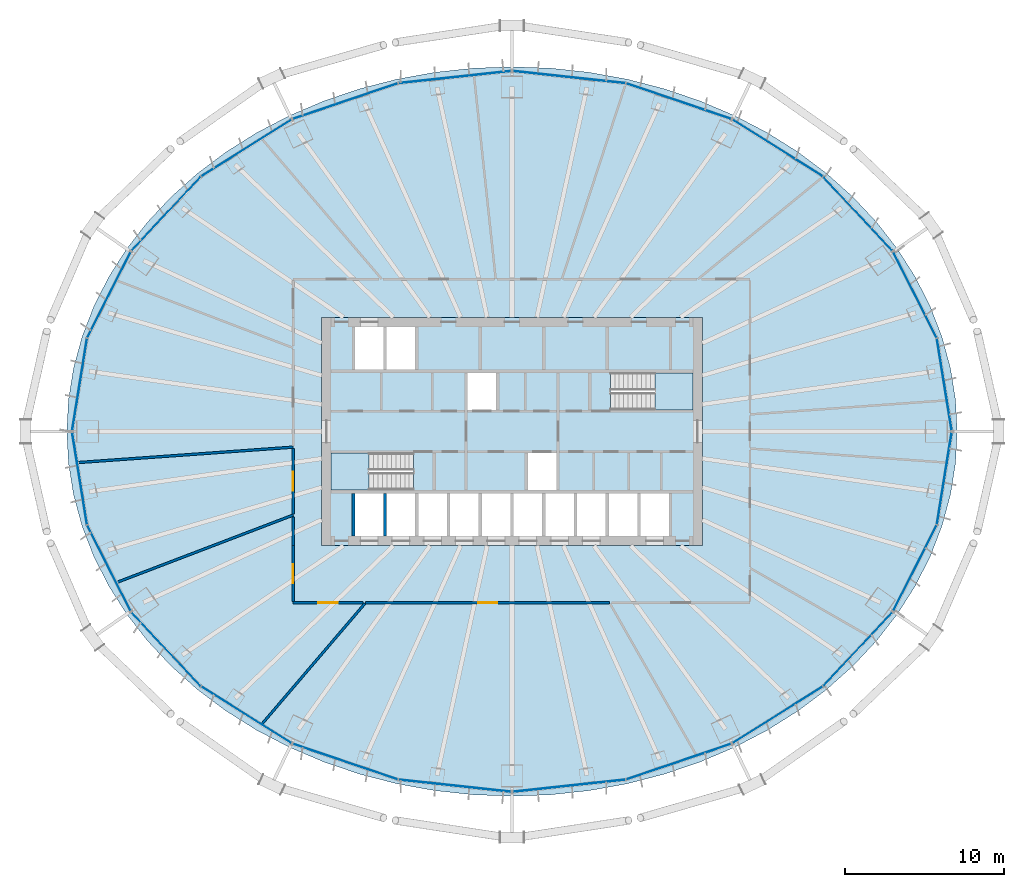
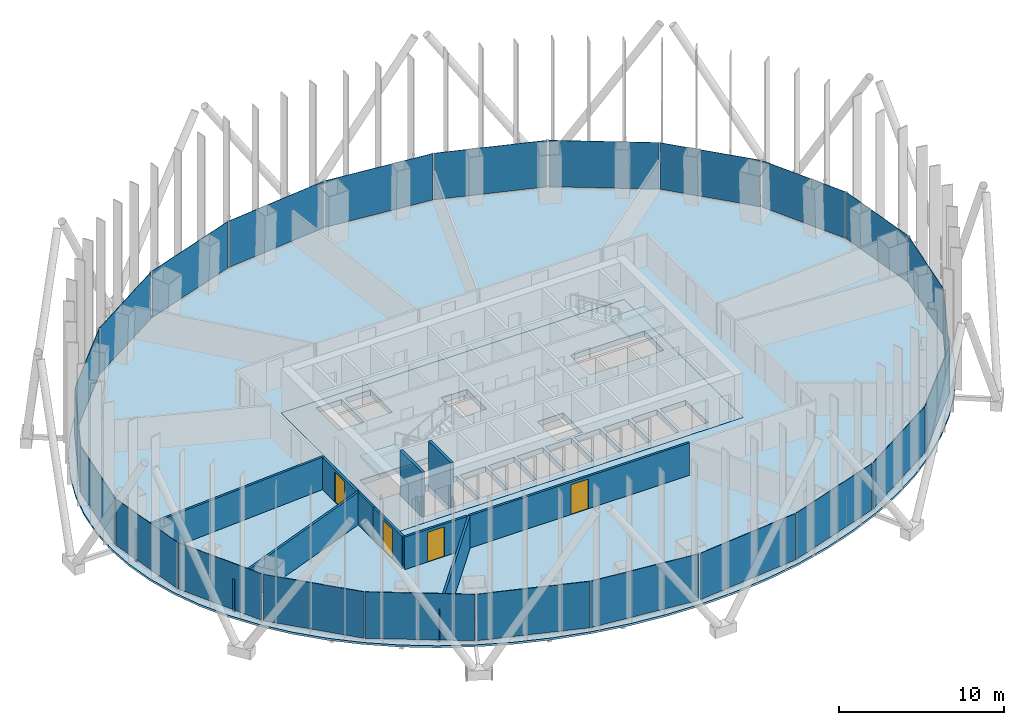
# One storey, part 7 of 22: 24 plates, 10 walls, 4 doors, 4 slabs, 4 openings, 14 elements without a shape of their own.
"""IFC4 building model written with IfcOpenShell, lengths in metres."""

from ifc_helpers import new_model, si_unit, direction, frame, frame_2d, origin, origin_2d, place, context, subcontext, project, spatial, polyline, rectangle, outline, extrude, material, layer, layer_set, type_object, element, fill, aggregate, save


model = new_model("IFC4")

# Units and contexts
model_context = context("Model", 3, precision=1e-05, world=origin(), true_north=direction((0.0, 1.0)))
body_context = subcontext(model_context, "Body", "Model", "MODEL_VIEW")
ifc_project = project(units=[si_unit("LENGTHUNIT", "METRE"), si_unit("AREAUNIT", "SQUARE_METRE"), si_unit("VOLUMEUNIT", "CUBIC_METRE"), si_unit("PLANEANGLEUNIT", "RADIAN"), si_unit("MASSUNIT", "GRAM", prefix="KILO")], contexts=[model_context])

# Site, building, storey
site_placement = place(None, origin())
site = spatial("IfcSite", under=ifc_project, at=site_placement, CompositionType="ELEMENT")
building_placement = place(site_placement, origin())
building = spatial("IfcBuilding", under=site, at=building_placement, Name="Siaravel Broadcast Tower", CompositionType="ELEMENT")
storey_placement = place(building_placement, frame((0.0, 0.0, 48.199951171875)))
storey = spatial("IfcBuildingStorey", under=building, at=storey_placement, Name="L10", CompositionType="ELEMENT", Elevation=48.199951171875)

# Curtain wall, plates
ifc_material_1 = material(Name="Aluminium 6063-T6", Category="aluminium")
ifc_layer_1 = layer(ifc_material_1, 0.219970703125)
ifc_layer_set_1 = layer_set([ifc_layer_1], Name="Aluminium 6063-T6")
curtain_wall_type = type_object("IfcCurtainWallType", Name="Unitised curtain wall, zone 1", PredefinedType="NOTDEFINED", material=ifc_layer_set_1)
curtain_wall_1_placement = place(storey_placement, origin())
curtain_wall_1 = element("IfcCurtainWall", 1, at=curtain_wall_1_placement, inside=storey, type_object=curtain_wall_type, Name="L10 Unitised curtain wall, zone 1 01", PredefinedType="NOTDEFINED")
ifc_material_2 = material(Name="Tinted laminated glass", Category="glass")
ifc_layer_2 = layer(ifc_material_2, 0.031982421875)
ifc_layer_set_2 = layer_set([ifc_layer_2], Name="Tinted laminated glass")
plate_type = type_object("IfcPlateType", Name="CW-Z1 glass panel", PredefinedType="CURTAIN_PANEL", material=ifc_layer_set_2)
plate_1_placement = place(storey_placement, frame((27.25634765625, 2.95947265625, 0.1201171875), z_axis=(0.0, 0.0, 1.0), x_axis=(-0.158685735, 0.987329143, 0.0)))
plate_1 = element("IfcPlate", 2, at=plate_1_placement, type_object=plate_type, Name="CW-Z1 glass panel", PredefinedType="CURTAIN_PANEL", context=body_context, shape_type="SweptSolid", body=[
    extrude(rectangle(XDim=5.854736328125, YDim=0.031982421875, at=origin_2d()), origin(), (0.0, 0.0, 1.0), 3.429931640625),
])
plate_2_placement = place(storey_placement, frame((25.407958984375, 8.609619140625, 0.1201171875), z_axis=(0.0, 0.0, 1.0), x_axis=(-0.451261257, 0.892391886, 0.0)))
plate_2 = element("IfcPlate", 3, at=plate_2_placement, type_object=plate_type, Name="CW-Z1 glass panel", PredefinedType="CURTAIN_PANEL", context=body_context, shape_type="SweptSolid", body=[
    extrude(rectangle(XDim=6.0380859375, YDim=0.031982421875, at=origin_2d()), origin(), (0.0, 0.0, 1.0), 3.429931640625),
])
aggregate(curtain_wall_1, [plate_1, plate_2])

curtain_wall_2_placement = place(storey_placement, origin())
curtain_wall_2 = element("IfcCurtainWall", 4, at=curtain_wall_2_placement, inside=storey, type_object=curtain_wall_type, Name="L10 Unitised curtain wall, zone 1 02", PredefinedType="NOTDEFINED")
plate_3_placement = place(storey_placement, frame((21.798095703125, 13.731689453125, 0.1201171875), z_axis=(0.0, 0.0, 1.0), x_axis=(-0.683655302, 0.729805061, 0.0)))
plate_3 = element("IfcPlate", 5, at=plate_3_placement, type_object=plate_type, Name="CW-Z1 glass panel", PredefinedType="CURTAIN_PANEL", context=body_context, shape_type="SweptSolid", body=[
    extrude(rectangle(XDim=6.34326171875, YDim=0.031982421875, at=origin_2d()), origin(), (0.0, 0.0, 1.0), 3.429931640625),
])
plate_4_placement = place(storey_placement, frame((16.748779296875, 17.86767578125, 0.1201171875), z_axis=(0.0, 0.0, 1.0), x_axis=(-0.846650586, 0.532149214, 0.0)))
plate_4 = element("IfcPlate", 6, at=plate_4_placement, type_object=plate_type, Name="CW-Z1 glass panel", PredefinedType="CURTAIN_PANEL", context=body_context, shape_type="SweptSolid", body=[
    extrude(rectangle(XDim=6.6787109375, YDim=0.031982421875, at=origin_2d()), origin(), (0.0, 0.0, 1.0), 3.429931640625),
])
aggregate(curtain_wall_2, [plate_3, plate_4])

curtain_wall_3_placement = place(storey_placement, origin())
curtain_wall_3 = element("IfcCurtainWall", 7, at=curtain_wall_3_placement, inside=storey, type_object=curtain_wall_type, Name="L10 Unitised curtain wall, zone 1 03", PredefinedType="NOTDEFINED")
plate_5_placement = place(storey_placement, frame((10.502197265625, 20.822021484375, 0.1201171875), z_axis=(0.0, 0.0, 1.0), x_axis=(-0.94697722, 0.321300709, 0.0)))
plate_5 = element("IfcPlate", 8, at=plate_5_placement, type_object=plate_type, Name="CW-Z1 glass panel", PredefinedType="CURTAIN_PANEL", context=body_context, shape_type="SweptSolid", body=[
    extrude(rectangle(XDim=6.956298828125, YDim=0.031982421875, at=origin_2d()), origin(), (0.0, 0.0, 1.0), 3.429931640625),
])
plate_6_placement = place(storey_placement, frame((3.60498046875, 22.335693359375, 0.1201171875), z_axis=(0.0, 0.0, 1.0), x_axis=(-0.994235586, 0.107217536, 0.0)))
plate_6 = element("IfcPlate", 9, at=plate_6_placement, type_object=plate_type, Name="CW-Z1 glass panel", PredefinedType="CURTAIN_PANEL", context=body_context, shape_type="SweptSolid", body=[
    extrude(rectangle(XDim=7.11181640625, YDim=0.031982421875, at=origin_2d()), origin(), (0.0, 0.0, 1.0), 3.429931640625),
])
aggregate(curtain_wall_3, [plate_5, plate_6])

curtain_wall_4_placement = place(storey_placement, origin())
curtain_wall_4 = element("IfcCurtainWall", 10, at=curtain_wall_4_placement, inside=storey, type_object=curtain_wall_type, Name="L10 Unitised curtain wall, zone 1 04", PredefinedType="NOTDEFINED")
plate_7_placement = place(storey_placement, frame((-3.60498046875, 22.335693359375, 0.1201171875), z_axis=(0.0, 0.0, 1.0), x_axis=(-0.994235586, -0.107217536, 0.0)))
plate_7 = element("IfcPlate", 11, at=plate_7_placement, type_object=plate_type, Name="CW-Z1 glass panel", PredefinedType="CURTAIN_PANEL", context=body_context, shape_type="SweptSolid", body=[
    extrude(rectangle(XDim=7.11181640625, YDim=0.031982421875, at=origin_2d()), origin(), (0.0, 0.0, 1.0), 3.429931640625),
])
plate_8_placement = place(storey_placement, frame((-10.502197265625, 20.822021484375, 0.1201171875), z_axis=(0.0, 0.0, 1.0), x_axis=(-0.94697722, -0.321300709, 0.0)))
plate_8 = element("IfcPlate", 12, at=plate_8_placement, type_object=plate_type, Name="CW-Z1 glass panel", PredefinedType="CURTAIN_PANEL", context=body_context, shape_type="SweptSolid", body=[
    extrude(rectangle(XDim=6.956298828125, YDim=0.031982421875, at=origin_2d()), origin(), (0.0, 0.0, 1.0), 3.429931640625),
])
aggregate(curtain_wall_4, [plate_7, plate_8])

curtain_wall_5_placement = place(storey_placement, origin())
curtain_wall_5 = element("IfcCurtainWall", 13, at=curtain_wall_5_placement, inside=storey, type_object=curtain_wall_type, Name="L10 Unitised curtain wall, zone 1 05", PredefinedType="NOTDEFINED")
plate_9_placement = place(storey_placement, frame((-16.748779296875, 17.86767578125, 0.1201171875), z_axis=(0.0, 0.0, 1.0), x_axis=(-0.846650586, -0.532149214, 0.0)))
plate_9 = element("IfcPlate", 14, at=plate_9_placement, type_object=plate_type, Name="CW-Z1 glass panel", PredefinedType="CURTAIN_PANEL", context=body_context, shape_type="SweptSolid", body=[
    extrude(rectangle(XDim=6.6787109375, YDim=0.031982421875, at=origin_2d()), origin(), (0.0, 0.0, 1.0), 3.429931640625),
])
plate_10_placement = place(storey_placement, frame((-21.798095703125, 13.731689453125, 0.1201171875), z_axis=(0.0, 0.0, 1.0), x_axis=(-0.683655302, -0.729805061, 0.0)))
plate_10 = element("IfcPlate", 15, at=plate_10_placement, type_object=plate_type, Name="CW-Z1 glass panel", PredefinedType="CURTAIN_PANEL", context=body_context, shape_type="SweptSolid", body=[
    extrude(rectangle(XDim=6.34326171875, YDim=0.031982421875, at=origin_2d()), origin(), (0.0, 0.0, 1.0), 3.429931640625),
])
aggregate(curtain_wall_5, [plate_9, plate_10])

curtain_wall_6_placement = place(storey_placement, origin())
curtain_wall_6 = element("IfcCurtainWall", 16, at=curtain_wall_6_placement, inside=storey, type_object=curtain_wall_type, Name="L10 Unitised curtain wall, zone 1 06", PredefinedType="NOTDEFINED")
plate_11_placement = place(storey_placement, frame((-25.407958984375, 8.609619140625, 0.1201171875), z_axis=(0.0, 0.0, 1.0), x_axis=(-0.451261257, -0.892391886, 0.0)))
plate_11 = element("IfcPlate", 17, at=plate_11_placement, type_object=plate_type, Name="CW-Z1 glass panel", PredefinedType="CURTAIN_PANEL", context=body_context, shape_type="SweptSolid", body=[
    extrude(rectangle(XDim=6.0380859375, YDim=0.031982421875, at=origin_2d()), origin(), (0.0, 0.0, 1.0), 3.429931640625),
])
plate_12_placement = place(storey_placement, frame((-27.25634765625, 2.95947265625, 0.1201171875), z_axis=(0.0, 0.0, 1.0), x_axis=(-0.158685735, -0.987329143, 0.0)))
plate_12 = element("IfcPlate", 18, at=plate_12_placement, type_object=plate_type, Name="CW-Z1 glass panel", PredefinedType="CURTAIN_PANEL", context=body_context, shape_type="SweptSolid", body=[
    extrude(rectangle(XDim=5.854736328125, YDim=0.031982421875, at=origin_2d()), origin(), (0.0, 0.0, 1.0), 3.429931640625),
])
aggregate(curtain_wall_6, [plate_11, plate_12])

curtain_wall_7_placement = place(storey_placement, origin())
curtain_wall_7 = element("IfcCurtainWall", 19, at=curtain_wall_7_placement, inside=storey, type_object=curtain_wall_type, Name="L10 Unitised curtain wall, zone 1 07", PredefinedType="NOTDEFINED")
plate_13_placement = place(storey_placement, frame((-27.25634765625, -2.95947265625, 0.1201171875), z_axis=(0.0, 0.0, 1.0), x_axis=(0.158685735, -0.987329143, 0.0)))
plate_13 = element("IfcPlate", 20, at=plate_13_placement, type_object=plate_type, Name="CW-Z1 glass panel", PredefinedType="CURTAIN_PANEL", context=body_context, shape_type="SweptSolid", body=[
    extrude(rectangle(XDim=5.854736328125, YDim=0.031982421875, at=origin_2d()), origin(), (0.0, 0.0, 1.0), 3.429931640625),
])
plate_14_placement = place(storey_placement, frame((-25.407958984375, -8.609619140625, 0.1201171875), z_axis=(0.0, 0.0, 1.0), x_axis=(0.451261257, -0.892391886, 0.0)))
plate_14 = element("IfcPlate", 21, at=plate_14_placement, type_object=plate_type, Name="CW-Z1 glass panel", PredefinedType="CURTAIN_PANEL", context=body_context, shape_type="SweptSolid", body=[
    extrude(rectangle(XDim=6.0380859375, YDim=0.031982421875, at=origin_2d()), origin(), (0.0, 0.0, 1.0), 3.429931640625),
])
aggregate(curtain_wall_7, [plate_13, plate_14])

curtain_wall_8_placement = place(storey_placement, origin())
curtain_wall_8 = element("IfcCurtainWall", 22, at=curtain_wall_8_placement, inside=storey, type_object=curtain_wall_type, Name="L10 Unitised curtain wall, zone 1 08", PredefinedType="NOTDEFINED")
plate_15_placement = place(storey_placement, frame((-21.798095703125, -13.731689453125, 0.1201171875), z_axis=(0.0, 0.0, 1.0), x_axis=(0.683655302, -0.729805061, 0.0)))
plate_15 = element("IfcPlate", 23, at=plate_15_placement, type_object=plate_type, Name="CW-Z1 glass panel", PredefinedType="CURTAIN_PANEL", context=body_context, shape_type="SweptSolid", body=[
    extrude(rectangle(XDim=6.34326171875, YDim=0.031982421875, at=origin_2d()), origin(), (0.0, 0.0, 1.0), 3.429931640625),
])
plate_16_placement = place(storey_placement, frame((-16.748779296875, -17.86767578125, 0.1201171875), z_axis=(0.0, 0.0, 1.0), x_axis=(0.846650586, -0.532149214, 0.0)))
plate_16 = element("IfcPlate", 24, at=plate_16_placement, type_object=plate_type, Name="CW-Z1 glass panel", PredefinedType="CURTAIN_PANEL", context=body_context, shape_type="SweptSolid", body=[
    extrude(rectangle(XDim=6.6787109375, YDim=0.031982421875, at=origin_2d()), origin(), (0.0, 0.0, 1.0), 3.429931640625),
])
aggregate(curtain_wall_8, [plate_15, plate_16])

curtain_wall_9_placement = place(storey_placement, origin())
curtain_wall_9 = element("IfcCurtainWall", 25, at=curtain_wall_9_placement, inside=storey, type_object=curtain_wall_type, Name="L10 Unitised curtain wall, zone 1 09", PredefinedType="NOTDEFINED")
plate_17_placement = place(storey_placement, frame((-10.502197265625, -20.822021484375, 0.1201171875), z_axis=(0.0, 0.0, 1.0), x_axis=(0.94697722, -0.321300709, 0.0)))
plate_17 = element("IfcPlate", 26, at=plate_17_placement, type_object=plate_type, Name="CW-Z1 glass panel", PredefinedType="CURTAIN_PANEL", context=body_context, shape_type="SweptSolid", body=[
    extrude(rectangle(XDim=6.956298828125, YDim=0.031982421875, at=origin_2d()), origin(), (0.0, 0.0, 1.0), 3.429931640625),
])
plate_18_placement = place(storey_placement, frame((-3.60498046875, -22.335693359375, 0.1201171875), z_axis=(0.0, 0.0, 1.0), x_axis=(0.994235586, -0.107217536, 0.0)))
plate_18 = element("IfcPlate", 27, at=plate_18_placement, type_object=plate_type, Name="CW-Z1 glass panel", PredefinedType="CURTAIN_PANEL", context=body_context, shape_type="SweptSolid", body=[
    extrude(rectangle(XDim=7.11181640625, YDim=0.031982421875, at=origin_2d()), origin(), (0.0, 0.0, 1.0), 3.429931640625),
])
aggregate(curtain_wall_9, [plate_17, plate_18])

curtain_wall_10_placement = place(storey_placement, origin())
curtain_wall_10 = element("IfcCurtainWall", 28, at=curtain_wall_10_placement, inside=storey, type_object=curtain_wall_type, Name="L10 Unitised curtain wall, zone 1 10", PredefinedType="NOTDEFINED")
plate_19_placement = place(storey_placement, frame((3.60498046875, -22.335693359375, 0.1201171875), z_axis=(0.0, 0.0, 1.0), x_axis=(0.994235586, 0.107217536, 0.0)))
plate_19 = element("IfcPlate", 29, at=plate_19_placement, type_object=plate_type, Name="CW-Z1 glass panel", PredefinedType="CURTAIN_PANEL", context=body_context, shape_type="SweptSolid", body=[
    extrude(rectangle(XDim=7.11181640625, YDim=0.031982421875, at=origin_2d()), origin(), (0.0, 0.0, 1.0), 3.429931640625),
])
plate_20_placement = place(storey_placement, frame((10.502197265625, -20.822021484375, 0.1201171875), z_axis=(0.0, 0.0, 1.0), x_axis=(0.94697722, 0.321300709, 0.0)))
plate_20 = element("IfcPlate", 30, at=plate_20_placement, type_object=plate_type, Name="CW-Z1 glass panel", PredefinedType="CURTAIN_PANEL", context=body_context, shape_type="SweptSolid", body=[
    extrude(rectangle(XDim=6.956298828125, YDim=0.031982421875, at=origin_2d()), origin(), (0.0, 0.0, 1.0), 3.429931640625),
])
aggregate(curtain_wall_10, [plate_19, plate_20])

curtain_wall_11_placement = place(storey_placement, origin())
curtain_wall_11 = element("IfcCurtainWall", 31, at=curtain_wall_11_placement, inside=storey, type_object=curtain_wall_type, Name="L10 Unitised curtain wall, zone 1 11", PredefinedType="NOTDEFINED")
plate_21_placement = place(storey_placement, frame((16.748779296875, -17.86767578125, 0.1201171875), z_axis=(0.0, 0.0, 1.0), x_axis=(0.846650586, 0.532149214, 0.0)))
plate_21 = element("IfcPlate", 32, at=plate_21_placement, type_object=plate_type, Name="CW-Z1 glass panel", PredefinedType="CURTAIN_PANEL", context=body_context, shape_type="SweptSolid", body=[
    extrude(rectangle(XDim=6.6787109375, YDim=0.031982421875, at=origin_2d()), origin(), (0.0, 0.0, 1.0), 3.429931640625),
])
plate_22_placement = place(storey_placement, frame((21.798095703125, -13.731689453125, 0.1201171875), z_axis=(0.0, 0.0, 1.0), x_axis=(0.683655302, 0.729805061, 0.0)))
plate_22 = element("IfcPlate", 33, at=plate_22_placement, type_object=plate_type, Name="CW-Z1 glass panel", PredefinedType="CURTAIN_PANEL", context=body_context, shape_type="SweptSolid", body=[
    extrude(rectangle(XDim=6.34326171875, YDim=0.031982421875, at=origin_2d()), origin(), (0.0, 0.0, 1.0), 3.429931640625),
])
aggregate(curtain_wall_11, [plate_21, plate_22])

curtain_wall_12_placement = place(storey_placement, origin())
curtain_wall_12 = element("IfcCurtainWall", 34, at=curtain_wall_12_placement, inside=storey, type_object=curtain_wall_type, Name="L10 Unitised curtain wall, zone 1 12", PredefinedType="NOTDEFINED")
plate_23_placement = place(storey_placement, frame((25.407958984375, -8.609619140625, 0.1201171875), z_axis=(0.0, 0.0, 1.0), x_axis=(0.451261257, 0.892391886, 0.0)))
plate_23 = element("IfcPlate", 35, at=plate_23_placement, type_object=plate_type, Name="CW-Z1 glass panel", PredefinedType="CURTAIN_PANEL", context=body_context, shape_type="SweptSolid", body=[
    extrude(rectangle(XDim=6.0380859375, YDim=0.031982421875, at=origin_2d()), origin(), (0.0, 0.0, 1.0), 3.429931640625),
])
plate_24_placement = place(storey_placement, frame((27.25634765625, -2.95947265625, 0.1201171875), z_axis=(0.0, 0.0, 1.0), x_axis=(0.158685735, 0.987329143, 0.0)))
plate_24 = element("IfcPlate", 36, at=plate_24_placement, type_object=plate_type, Name="CW-Z1 glass panel", PredefinedType="CURTAIN_PANEL", context=body_context, shape_type="SweptSolid", body=[
    extrude(rectangle(XDim=5.854736328125, YDim=0.031982421875, at=origin_2d()), origin(), (0.0, 0.0, 1.0), 3.429931640625),
])
aggregate(curtain_wall_12, [plate_23, plate_24])

# Slabs
ifc_material_3 = material(Name="Concrete C40/50", Category="concrete")
ifc_layer_3 = layer(ifc_material_3, 0.39990234375)
ifc_layer_set_3 = layer_set([ifc_layer_3], Name="Concrete C40/50")
slab_type_1 = type_object("IfcSlabType", Name="Core floor slab 400", PredefinedType="FLOOR", material=ifc_layer_set_3)
slab_1_placement = place(storey_placement, frame((0.0, 0.0, -0.39990234375)))
element("IfcSlab", 37, at=slab_1_placement, inside=storey, type_object=slab_type_1, Name="L10 core floor", PredefinedType="FLOOR", context=body_context, shape_type="SweptSolid", body=[
    extrude(outline(polyline([(-12.0, -7.199951171875), (-12.0, 7.199951171875), (12.0, 7.199951171875), (12.0, -7.199951171875), (-12.0, -7.199951171875)]), holes=[polyline([(11.3994140625, 1.3505859375), (11.3994140625, 3.699462890625), (6.200439453125, 3.699462890625), (6.200439453125, 1.3505859375), (11.3994140625, 1.3505859375)]), polyline([(9.89990234375, -3.89990234375), (8.10009765625, -3.89990234375), (8.10009765625, -6.60009765625), (9.89990234375, -6.60009765625), (9.89990234375, -3.89990234375)]), polyline([(7.89990234375, -3.89990234375), (6.10009765625, -3.89990234375), (6.10009765625, -6.60009765625), (7.89990234375, -6.60009765625), (7.89990234375, -3.89990234375)]), polyline([(5.89990234375, -3.89990234375), (4.10009765625, -3.89990234375), (4.10009765625, -6.60009765625), (5.89990234375, -6.60009765625), (5.89990234375, -3.89990234375)]), polyline([(3.89990234375, -3.89990234375), (2.10009765625, -3.89990234375), (2.10009765625, -6.60009765625), (3.89990234375, -6.60009765625), (3.89990234375, -3.89990234375)]), polyline([(2.800048828125, -1.35009765625), (1.0, -1.35009765625), (1.0, -3.699951171875), (2.800048828125, -3.699951171875), (2.800048828125, -1.35009765625)]), polyline([(1.89990234375, -3.89990234375), (0.10009765625, -3.89990234375), (0.10009765625, -6.60009765625), (1.89990234375, -6.60009765625), (1.89990234375, -3.89990234375)]), polyline([(-0.10009765625, -3.89990234375), (-1.89990234375, -3.89990234375), (-1.89990234375, -6.60009765625), (-0.10009765625, -6.60009765625), (-0.10009765625, -3.89990234375)]), polyline([(-1.0, 3.699951171875), (-2.800048828125, 3.699951171875), (-2.800048828125, 1.35009765625), (-1.0, 1.35009765625), (-1.0, 3.699951171875)]), polyline([(-2.10009765625, -3.89990234375), (-3.89990234375, -3.89990234375), (-3.89990234375, -6.60009765625), (-2.10009765625, -6.60009765625), (-2.10009765625, -3.89990234375)]), polyline([(-4.10009765625, -3.89990234375), (-5.89990234375, -3.89990234375), (-5.89990234375, -6.60009765625), (-4.10009765625, -6.60009765625), (-4.10009765625, -3.89990234375)]), polyline([(-6.10009765625, -3.89990234375), (-7.89990234375, -3.89990234375), (-7.89990234375, -6.60009765625), (-6.10009765625, -6.60009765625), (-6.10009765625, -3.89990234375)]), polyline([(-6.10009765625, 6.60009765625), (-7.89990234375, 6.60009765625), (-7.89990234375, 3.89990234375), (-6.10009765625, 3.89990234375), (-6.10009765625, 6.60009765625)]), polyline([(-11.3994140625, -1.3505859375), (-11.3994140625, -3.699462890625), (-6.200439453125, -3.699462890625), (-6.200439453125, -1.3505859375), (-11.3994140625, -1.3505859375)]), polyline([(-8.10009765625, -3.89990234375), (-9.89990234375, -3.89990234375), (-9.89990234375, -6.60009765625), (-8.10009765625, -6.60009765625), (-8.10009765625, -3.89990234375)]), polyline([(-8.10009765625, 6.60009765625), (-9.89990234375, 6.60009765625), (-9.89990234375, 3.89990234375), (-8.10009765625, 3.89990234375), (-8.10009765625, 6.60009765625)])]), origin(), (0.0, 0.0, 1.0), 0.39990234375),
])
ifc_layer_4 = layer(ifc_material_3, 0.14990234375)
ifc_layer_set_4 = layer_set([ifc_layer_4], Name="Concrete C40/50")
slab_type_2 = type_object("IfcSlabType", Name="SLB-FLOOR-150", PredefinedType="FLOOR", material=ifc_layer_set_4)
slab_2_placement = place(storey_placement, frame((0.0, 0.0, -0.14990234375)))
element("IfcSlab", 38, at=slab_2_placement, inside=storey, type_object=slab_type_2, Name="Floor slab", PredefinedType="FLOOR", context=body_context, shape_type="SweptSolid", body=[
    extrude(outline(polyline([(28.066162109375, 0.0), (27.959228515625, 2.003662109375), (27.6396484375, 3.9921875), (27.10986328125, 5.9501953125), (26.37353515625, 7.86279296875), (25.4365234375, 9.7158203125), (24.305908203125, 11.49462890625), (22.990478515625, 13.18603515625), (21.5, 14.777099609375), (19.845703125, 16.255859375), (18.04052734375, 17.61083984375), (16.09814453125, 18.831787109375), (14.033203125, 19.9091796875), (11.861083984375, 20.83544921875), (9.59912109375, 21.602783203125), (7.263916015625, 22.2060546875), (4.87353515625, 22.639892578125), (2.446044921875, 22.90185546875), (0.0, 22.9892578125), (-2.446044921875, 22.90185546875), (-4.87353515625, 22.639892578125), (-7.263916015625, 22.2060546875), (-9.59912109375, 21.602783203125), (-11.861083984375, 20.83544921875), (-14.032958984375, 19.9091796875), (-16.09814453125, 18.831787109375), (-18.04052734375, 17.61083984375), (-19.845703125, 16.255859375), (-21.5, 14.777099609375), (-22.990478515625, 13.18603515625), (-24.305908203125, 11.49462890625), (-25.4365234375, 9.7158203125), (-26.37353515625, 7.86279296875), (-27.10986328125, 5.9501953125), (-27.6396484375, 3.9921875), (-27.959228515625, 2.003662109375), (-28.066162109375, 0.0), (-27.959228515625, -2.003662109375), (-27.6396484375, -3.9921875), (-27.10986328125, -5.9501953125), (-26.37353515625, -7.86279296875), (-25.4365234375, -9.7158203125), (-24.305908203125, -11.49462890625), (-22.990478515625, -13.18603515625), (-21.5, -14.777099609375), (-19.845703125, -16.255859375), (-18.04052734375, -17.61083984375), (-16.09814453125, -18.831787109375), (-14.033203125, -19.9091796875), (-11.861083984375, -20.83544921875), (-9.59912109375, -21.602783203125), (-7.263916015625, -22.2060546875), (-4.87353515625, -22.639892578125), (-2.446044921875, -22.90185546875), (0.0, -22.9892578125), (2.446044921875, -22.90185546875), (4.87353515625, -22.639892578125), (7.263916015625, -22.2060546875), (9.59912109375, -21.602783203125), (11.861083984375, -20.83544921875), (14.033203125, -19.9091796875), (16.09814453125, -18.831787109375), (18.04052734375, -17.61083984375), (19.845703125, -16.255859375), (21.5, -14.777099609375), (22.990478515625, -13.18603515625), (24.305908203125, -11.49462890625), (25.4365234375, -9.7158203125), (26.37353515625, -7.86279296875), (27.10986328125, -5.9501953125), (27.6396484375, -3.9921875), (27.959228515625, -2.003662109375), (28.066162109375, 0.0)]), holes=[polyline([(-12.0, 7.199951171875), (12.0, 7.199951171875), (12.0, -7.199951171875), (-12.0, -7.199951171875), (-12.0, 7.199951171875)])]), origin(), (0.0, 0.0, 1.0), 0.14990234375),
])

# Stair, slab
stair_type = type_object("IfcStairType", Name="Core exit stair", PredefinedType="HALF_TURN_STAIR", material=ifc_material_3)
stair_1_placement = place(storey_placement, origin())
stair_1 = element("IfcStair", 39, at=stair_1_placement, inside=storey, type_object=stair_type, Name="L10 Exit stair ST-1", PredefinedType="HALF_TURN_STAIR")
ifc_layer_5 = layer(ifc_material_3, 0.199951171875)
ifc_layer_set_5 = layer_set([ifc_layer_5], Name="Concrete C40/50")
slab_type_3 = type_object("IfcSlabType", Name="Stair landing", PredefinedType="LANDING", material=ifc_layer_set_5)
slab_3_placement = place(storey_placement, frame((0.0, 0.0, 1.650146484375)))
slab_3 = element("IfcSlab", 40, at=slab_3_placement, type_object=slab_type_3, Name="ST-1 landing 1", PredefinedType="LANDING", context=body_context, shape_type="SweptSolid", body=[
    extrude(outline(polyline([(-9.0, -1.35009765625), (-11.39990234375, -1.35009765625), (-11.39990234375, -3.699951171875), (-9.0, -3.699951171875), (-9.0, -1.35009765625)])), origin(), (0.0, 0.0, 1.0), 0.199951171875),
])
aggregate(stair_1, [slab_3])

stair_2_placement = place(storey_placement, origin())
stair_2 = element("IfcStair", 41, at=stair_2_placement, inside=storey, type_object=stair_type, Name="L10 Exit stair ST-2", PredefinedType="HALF_TURN_STAIR")
slab_4_placement = place(storey_placement, frame((0.0, 0.0, 1.650146484375)))
slab_4 = element("IfcSlab", 42, at=slab_4_placement, type_object=slab_type_3, Name="ST-2 landing 1", PredefinedType="LANDING", context=body_context, shape_type="SweptSolid", body=[
    extrude(outline(polyline([(9.0, 1.35009765625), (11.39990234375, 1.35009765625), (11.39990234375, 3.699951171875), (9.0, 3.699951171875), (9.0, 1.35009765625)])), origin(), (0.0, 0.0, 1.0), 0.199951171875),
])
aggregate(stair_2, [slab_4])

# Wall, opening, door
ifc_material_4 = material(Name="Gypsum board partition", Category="gypsum")
ifc_layer_6 = layer(ifc_material_4, 0.14990234375)
ifc_layer_set_6 = layer_set([ifc_layer_6], Name="Gypsum board partition")
wall_type_1 = type_object("IfcWallType", Name="Corridor wall 150", PredefinedType="PARTITIONING", material=ifc_layer_set_6)
wall_1_placement = place(storey_placement, frame((-9.232421875, -10.800048828125, 0.0), z_axis=(0.0, 0.0, 1.0), x_axis=(1.0, 0.0, 0.0)))
wall_1 = element("IfcWall", 43, at=wall_1_placement, inside=storey, type_object=wall_type_1, Name="L10 partition 1", PredefinedType="PARTITIONING", context=body_context, shape_type="SweptSolid", body=[
    extrude(rectangle(XDim=15.380615234375, YDim=0.14990234375, at=frame_2d((7.6904296875, 0.0))), origin(), (0.0, 0.0, 1.0), 2.400146484375),
])
opening_1_placement = place(wall_1_placement, frame((7.09033203125, 0.0, 0.0)))
opening_1 = element("IfcOpeningElement", 44, at=opening_1_placement, cuts=wall_1, Name="Opening L10-012", PredefinedType="OPENING", context=body_context, shape_type="SweptSolid", body=[
    extrude(rectangle(XDim=1.199951171875, YDim=2.199951171875, at=frame_2d((0.60009765625, 1.10009765625))), frame((0.0, 0.0849609375, 0.0), z_axis=(0.0, -1.0, 0.0), x_axis=(1.0, 0.0, 0.0)), (0.0, 0.0, 1.0), 0.169921875),
])
ifc_material_5 = material(Name="Timber veneer", Category="wood")
door_type = type_object("IfcDoorType", Name="Office double door 1200", OperationType="DOUBLE_DOOR_SINGLE_SWING", PredefinedType="DOOR", material=ifc_material_5)
door_1_placement = place(opening_1_placement, origin())
door_1 = element("IfcDoor", 45, at=door_1_placement, inside=storey, type_object=door_type, Name="L10 door to Open plan newsroom", OperationType="DOUBLE_DOOR_SINGLE_SWING", OverallHeight=2.199951171875, OverallWidth=1.199951171875, PredefinedType="DOOR", context=body_context, shape_type="SweptSolid", body=[
    extrude(rectangle(XDim=1.199951171875, YDim=2.199951171875, at=frame_2d((0.60009765625, 1.10009765625))), frame((0.0, 0.02490234375, 0.0), z_axis=(0.0, -1.0, 0.0), x_axis=(1.0, 0.0, 0.0)), (0.0, 0.0, 1.0), 0.050048828125),
])
fill(opening_1, door_1)

wall_2_placement = place(storey_placement, frame((-13.800048828125, -10.800048828125, 0.0), z_axis=(0.0, 0.0, 1.0), x_axis=(1.0, 0.0, 0.0)))
wall_2 = element("IfcWall", 46, at=wall_2_placement, inside=storey, type_object=wall_type_1, Name="L10 partition 21", PredefinedType="PARTITIONING", context=body_context, shape_type="SweptSolid", body=[
    extrude(rectangle(XDim=4.403076171875, YDim=0.14990234375, at=frame_2d((2.20166015625, 0.0))), origin(), (0.0, 0.0, 1.0), 2.400146484375),
])
opening_2_placement = place(wall_2_placement, frame((1.6015625, 0.0, 0.0)))
opening_2 = element("IfcOpeningElement", 47, at=opening_2_placement, cuts=wall_2, Name="Opening L10-010", PredefinedType="OPENING", context=body_context, shape_type="SweptSolid", body=[
    extrude(rectangle(XDim=1.199951171875, YDim=2.199951171875, at=frame_2d((0.60009765625, 1.10009765625))), frame((0.0, 0.0849609375, 0.0), z_axis=(0.0, -1.0, 0.0), x_axis=(1.0, 0.0, 0.0)), (0.0, 0.0, 1.0), 0.169921875),
])
door_2_placement = place(opening_2_placement, origin())
door_2 = element("IfcDoor", 48, at=door_2_placement, inside=storey, type_object=door_type, Name="L10 door to Open plan newsroom", OperationType="DOUBLE_DOOR_SINGLE_SWING", OverallHeight=2.199951171875, OverallWidth=1.199951171875, PredefinedType="DOOR", context=body_context, shape_type="SweptSolid", body=[
    extrude(rectangle(XDim=1.199951171875, YDim=2.199951171875, at=frame_2d((0.60009765625, 1.10009765625))), frame((0.0, 0.02490234375, 0.0), z_axis=(0.0, -1.0, 0.0), x_axis=(1.0, 0.0, 0.0)), (0.0, 0.0, 1.0), 0.050048828125),
])
fill(opening_2, door_2)

wall_3_placement = place(storey_placement, frame((-13.800048828125, -1.071533203125, 0.0), z_axis=(0.0, 0.0, 1.0), x_axis=(0.0, -1.0, 0.0)))
wall_3 = element("IfcWall", 49, at=wall_3_placement, inside=storey, type_object=wall_type_1, Name="L10 partition 22", PredefinedType="PARTITIONING", context=body_context, shape_type="SweptSolid", body=[
    extrude(rectangle(XDim=4.12744140625, YDim=0.14990234375, at=frame_2d((2.063720703125, 0.0))), origin(), (0.0, 0.0, 1.0), 2.400146484375),
])
opening_3_placement = place(wall_3_placement, frame((1.463623046875, 0.0, 0.0)))
opening_3 = element("IfcOpeningElement", 50, at=opening_3_placement, cuts=wall_3, Name="Opening L10-009", PredefinedType="OPENING", context=body_context, shape_type="SweptSolid", body=[
    extrude(rectangle(XDim=1.199951171875, YDim=2.199951171875, at=frame_2d((0.60009765625, 1.10009765625))), frame((0.0, 0.0849609375, 0.0), z_axis=(0.0, -1.0, 0.0), x_axis=(1.0, 0.0, 0.0)), (0.0, 0.0, 1.0), 0.169921875),
])
door_3_placement = place(opening_3_placement, origin())
door_3 = element("IfcDoor", 51, at=door_3_placement, inside=storey, type_object=door_type, Name="L10 door to Newsroom desk office", OperationType="DOUBLE_DOOR_SINGLE_SWING", OverallHeight=2.199951171875, OverallWidth=1.199951171875, PredefinedType="DOOR", context=body_context, shape_type="SweptSolid", body=[
    extrude(rectangle(XDim=1.199951171875, YDim=2.199951171875, at=frame_2d((0.60009765625, 1.10009765625))), frame((0.0, 0.02490234375, 0.0), z_axis=(0.0, -1.0, 0.0), x_axis=(1.0, 0.0, 0.0)), (0.0, 0.0, 1.0), 0.050048828125),
])
fill(opening_3, door_3)

wall_4_placement = place(storey_placement, frame((-13.800048828125, -7.18798828125, 0.0), z_axis=(0.0, 0.0, 1.0), x_axis=(0.0, -1.0, 0.0)))
wall_4 = element("IfcWall", 52, at=wall_4_placement, inside=storey, type_object=wall_type_1, Name="L10 partition 24", PredefinedType="PARTITIONING", context=body_context, shape_type="SweptSolid", body=[
    extrude(rectangle(XDim=3.534912109375, YDim=0.14990234375, at=frame_2d((1.767578125, 0.0))), origin(), (0.0, 0.0, 1.0), 2.400146484375),
])
opening_4_placement = place(wall_4_placement, frame((1.16748046875, 0.0, 0.0)))
opening_4 = element("IfcOpeningElement", 53, at=opening_4_placement, cuts=wall_4, Name="Opening L10-011", PredefinedType="OPENING", context=body_context, shape_type="SweptSolid", body=[
    extrude(rectangle(XDim=1.199951171875, YDim=2.199951171875, at=frame_2d((0.60009765625, 1.10009765625))), frame((0.0, 0.0849609375, 0.0), z_axis=(0.0, -1.0, 0.0), x_axis=(1.0, 0.0, 0.0)), (0.0, 0.0, 1.0), 0.169921875),
])
door_4_placement = place(opening_4_placement, origin())
door_4 = element("IfcDoor", 54, at=door_4_placement, inside=storey, type_object=door_type, Name="L10 door to Open plan newsroom", OperationType="DOUBLE_DOOR_SINGLE_SWING", OverallHeight=2.199951171875, OverallWidth=1.199951171875, PredefinedType="DOOR", context=body_context, shape_type="SweptSolid", body=[
    extrude(rectangle(XDim=1.199951171875, YDim=2.199951171875, at=frame_2d((0.60009765625, 1.10009765625))), frame((0.0, 0.02490234375, 0.0), z_axis=(0.0, -1.0, 0.0), x_axis=(1.0, 0.0, 0.0)), (0.0, 0.0, 1.0), 0.050048828125),
])
fill(opening_4, door_4)

# Walls
wall_5_placement = place(storey_placement, frame((-13.800048828125, -5.382080078125, 0.0), z_axis=(0.0, 0.0, 1.0), x_axis=(0.0, -1.0, 0.0)))
element("IfcWall", 55, at=wall_5_placement, inside=storey, type_object=wall_type_1, Name="L10 partition 30", PredefinedType="PARTITIONING", context=body_context, shape_type="SweptSolid", body=[
    extrude(rectangle(XDim=1.804931640625, YDim=0.14990234375, at=frame_2d((0.90234375, 0.0))), origin(), (0.0, 0.0, 1.0), 2.400146484375),
])
ifc_layer_7 = layer(ifc_material_4, 0.14990234375)
ifc_layer_set_7 = layer_set([ifc_layer_7], Name="Gypsum board partition")
wall_type_2 = type_object("IfcWallType", Name="Room partition 150", PredefinedType="PARTITIONING", material=ifc_layer_set_7)
wall_6_placement = place(storey_placement, frame((-27.45654296875, -1.967529296875, 0.0), z_axis=(0.0, 0.0, 1.0), x_axis=(0.997442835, 0.071468811, 0.0)))
element("IfcWall", 56, at=wall_6_placement, inside=storey, type_object=wall_type_2, Name="L10 partition 2", PredefinedType="PARTITIONING", context=body_context, shape_type="SweptSolid", body=[
    extrude(rectangle(XDim=13.69140625, YDim=0.14990234375, at=frame_2d((6.845703125, 0.0))), origin(), (0.0, 0.0, 1.0), 2.400146484375),
])
wall_7_placement = place(storey_placement, frame((-24.97412109375, -9.5390625, 0.0), z_axis=(0.0, 0.0, 1.0), x_axis=(0.934173736, 0.356818485, 0.0)))
element("IfcWall", 57, at=wall_7_placement, inside=storey, type_object=wall_type_2, Name="L10 partition 8", PredefinedType="PARTITIONING", context=body_context, shape_type="SweptSolid", body=[
    extrude(rectangle(XDim=11.96142578125, YDim=0.14990234375, at=frame_2d((5.980712890625, 0.0))), origin(), (0.0, 0.0, 1.0), 2.400146484375),
])
wall_8_placement = place(storey_placement, frame((-15.7978515625, -18.48046875, 0.0), z_axis=(0.0, 0.0, 1.0), x_axis=(0.649794059, 0.760110308, 0.0)))
element("IfcWall", 58, at=wall_8_placement, inside=storey, type_object=wall_type_2, Name="L10 partition 11", PredefinedType="PARTITIONING", context=body_context, shape_type="SweptSolid", body=[
    extrude(rectangle(XDim=10.045166015625, YDim=0.14990234375, at=frame_2d((5.0224609375, 0.0))), origin(), (0.0, 0.0, 1.0), 2.400146484375),
])
ifc_material_6 = material(Name="Concrete C60/75", Category="concrete")
ifc_layer_8 = layer(ifc_material_6, 0.199951171875)
ifc_layer_set_8 = layer_set([ifc_layer_8], Name="Concrete C60/75")
wall_type_3 = type_object("IfcWallType", Name="Shaft wall 200", PredefinedType="SHEAR", material=ifc_layer_set_8)
for number, where, z_axis, x_axis, name in (
    (59, (-10.0, -6.60009765625, 0.0), (0.0, 0.0, 1.0), (0.0, 1.0, 0.0), "L10 core wall SWS0"),
    (60, (-8.0, -6.60009765625, 0.0), (0.0, 0.0, 1.0), (0.0, 1.0, 0.0), "L10 core wall SWS1"),
):
    element("IfcWall", number, at=place(storey_placement, frame(where, z_axis=z_axis, x_axis=x_axis)), inside=storey, type_object=wall_type_3, Name=name, PredefinedType="SHEAR", context=body_context, shape_type="SweptSolid", body=[
        extrude(rectangle(XDim=2.7001953125, YDim=0.199951171875, at=frame_2d((1.35009765625, 0.0))), origin(), (0.0, 0.0, 1.0), 3.300048828125),
    ])

save(model, "model.ifc")
